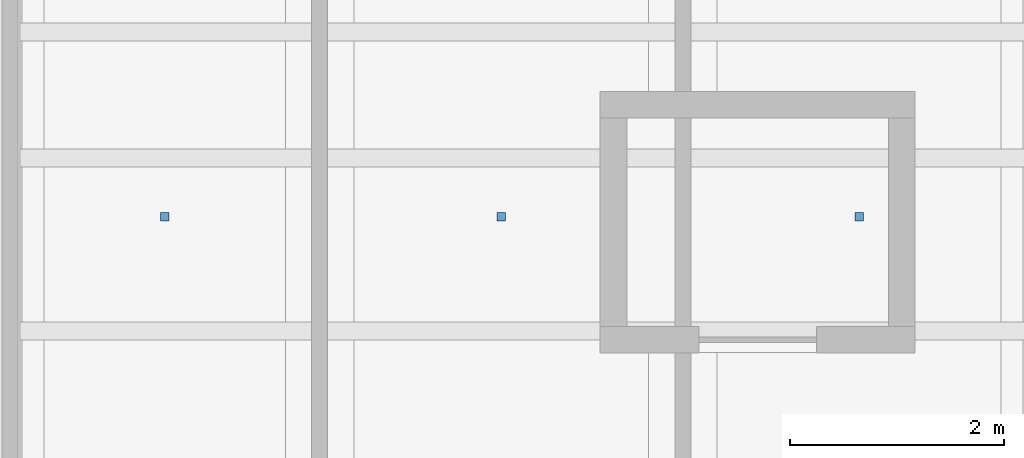
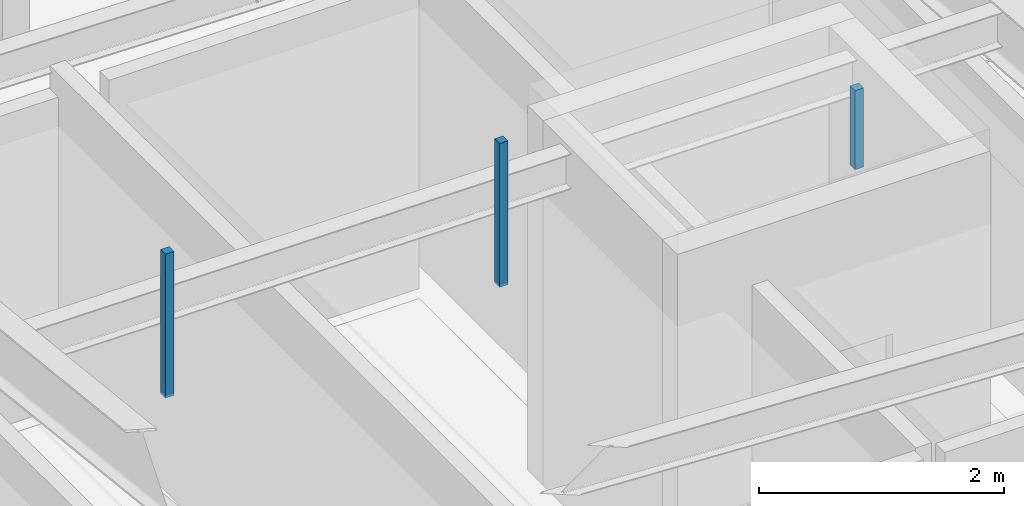
# One storey, part 64 of 65: 3 discrete accessories.
"""IFC4 building model written with IfcOpenShell, lengths in metres."""

from ifc_helpers import new_model, si_unit, direction, frame, origin, origin_2d, place, context, subcontext, project, spatial, rectangle, extrude, material, type_object, element, save


model = new_model("IFC4")

# Units and contexts
model_context = context("Model", 3, precision=1e-05, world=origin(), true_north=direction((0.0, 1.0)))
body_context = subcontext(model_context, "Body", "Model", "MODEL_VIEW")
ifc_project = project(units=[si_unit("LENGTHUNIT", "METRE"), si_unit("AREAUNIT", "SQUARE_METRE"), si_unit("VOLUMEUNIT", "CUBIC_METRE"), si_unit("PLANEANGLEUNIT", "RADIAN"), si_unit("MASSUNIT", "GRAM", prefix="KILO")], contexts=[model_context])

# Site, building, storey
site_placement = place(None, origin())
site = spatial("IfcSite", under=ifc_project, at=site_placement, CompositionType="ELEMENT")
building_placement = place(site_placement, origin())
building = spatial("IfcBuilding", under=site, at=building_placement, Name="Chalmorin Arch Market", CompositionType="ELEMENT")
storey_placement = place(building_placement, frame((0.0, 0.0, 14.10009765625)))
storey = spatial("IfcBuildingStorey", under=building, at=storey_placement, Name="L03", CompositionType="ELEMENT", Elevation=14.10009765625)

# Discrete accessories
ifc_material = material(Name="Galvanized Cold-Formed Steel", Category="steel")
discrete_accessory_type = type_object("IfcDiscreteAccessoryType", Name="CeilingSuspensionBracket-80x80", PredefinedType="BRACKET", material=ifc_material)
for number, where, z_axis, x_axis, name in (
    (1, (78.25, 113.64990234375, 2.911865234375), (0.0, 0.0, 1.0), (1.0, 0.0, 0.0), "CSB-269"),
    (2, (81.39990234375, 113.64990234375, 2.911865234375), (0.0, 0.0, 1.0), (1.0, 0.0, 0.0), "CSB-271"),
):
    element("IfcDiscreteAccessory", number, at=place(storey_placement, frame(where, z_axis=z_axis, x_axis=x_axis)), inside=storey, type_object=discrete_accessory_type, Name=name, PredefinedType="BRACKET", context=body_context, shape_type="SweptSolid", body=[
        extrude(rectangle(XDim=0.080078125, YDim=0.080078125, at=origin_2d()), origin(), (0.0, 0.0, 1.0), 1.43408203125),
    ])
discrete_accessory_placement = place(storey_placement, frame((84.75, 113.64990234375, 2.911865234375), z_axis=(0.0, 0.0, 1.0), x_axis=(1.0, 0.0, 0.0)))
element("IfcDiscreteAccessory", 3, at=discrete_accessory_placement, inside=storey, type_object=discrete_accessory_type, Name="CSB-273", PredefinedType="BRACKET", context=body_context, shape_type="SweptSolid", body=[
    extrude(rectangle(XDim=0.080078125, YDim=0.080078125, at=origin_2d()), origin(), (0.0, 0.0, 1.0), 0.7880859375),
])

save(model, "model.ifc")
